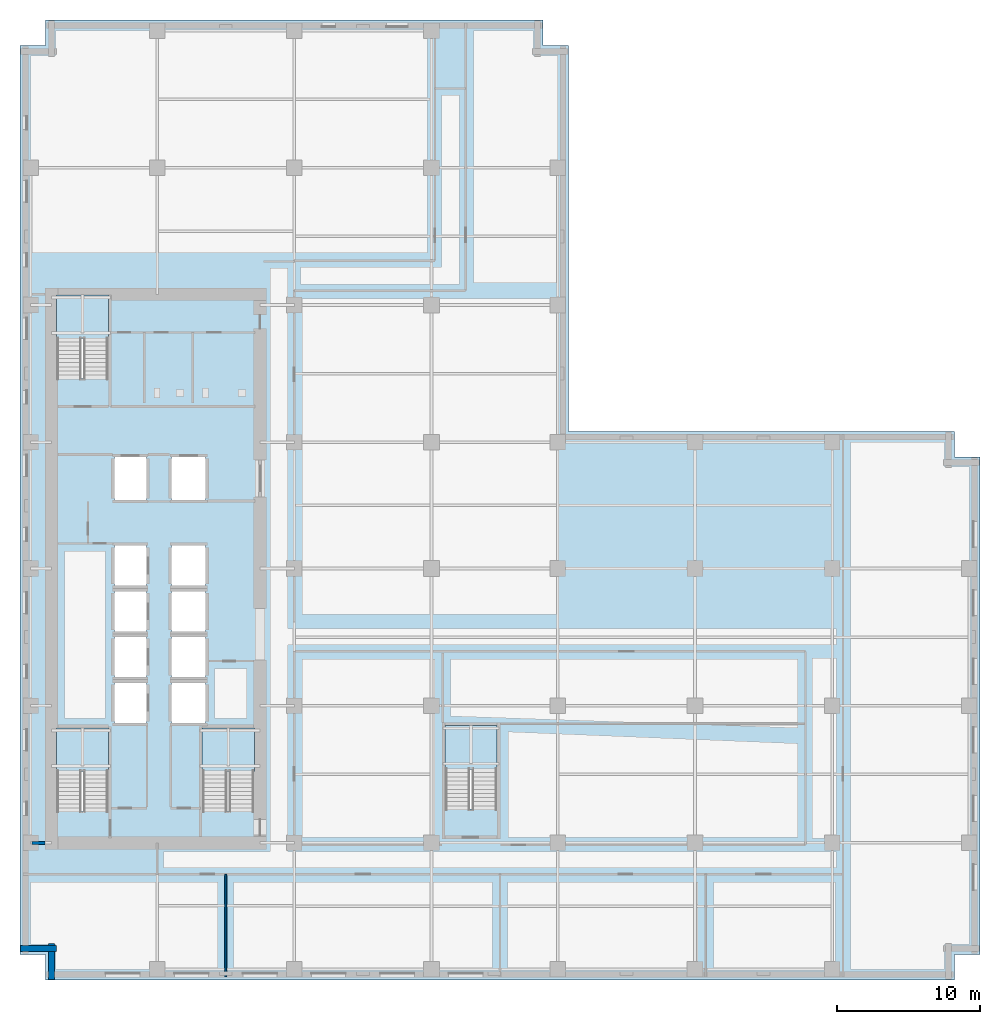
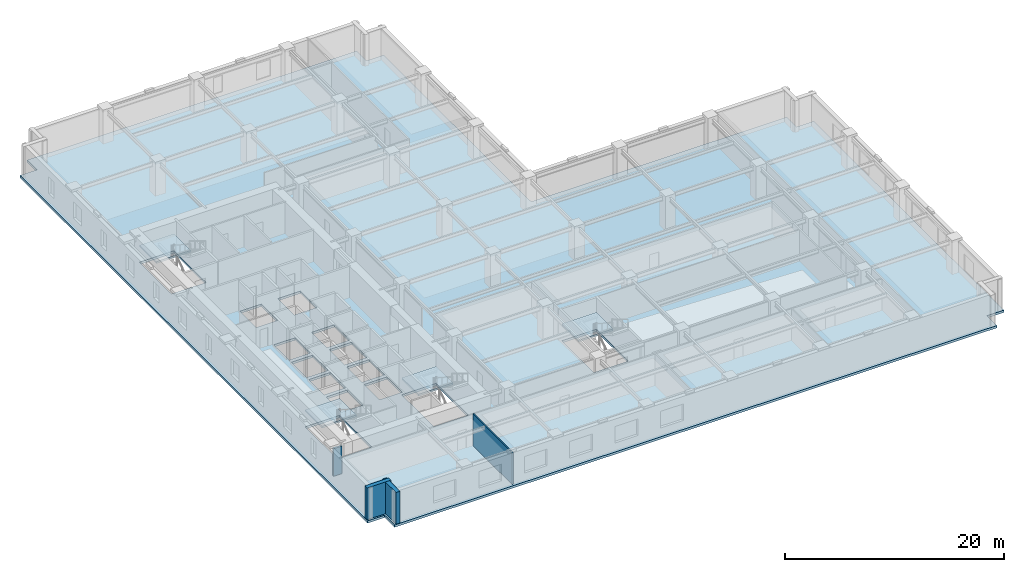
# One storey, part 3 of 13: 5 slabs, 4 walls, 4 elements without a shape of their own.
"""IFC4 building model written with IfcOpenShell, lengths in metres."""

from ifc_helpers import new_model, si_unit, direction, frame, frame_2d, origin, place, context, subcontext, project, spatial, polyline, rectangle, outline, extrude, material, layer, layer_set, type_object, element, aggregate, save


model = new_model("IFC4")

# Units and contexts
model_context = context("Model", 3, precision=1e-05, world=origin(), true_north=direction((0.0, 1.0)))
body_context = subcontext(model_context, "Body", "Model", "MODEL_VIEW")
ifc_project = project(units=[si_unit("LENGTHUNIT", "METRE"), si_unit("AREAUNIT", "SQUARE_METRE"), si_unit("VOLUMEUNIT", "CUBIC_METRE"), si_unit("PLANEANGLEUNIT", "RADIAN"), si_unit("MASSUNIT", "GRAM", prefix="KILO")], contexts=[model_context])

# Site, building, storey
site_placement = place(None, origin())
site = spatial("IfcSite", under=ifc_project, at=site_placement, CompositionType="ELEMENT")
building_placement = place(site_placement, origin())
building = spatial("IfcBuilding", under=site, at=building_placement, Name="Norrvale University Quadrangle", CompositionType="ELEMENT")
storey_placement = place(building_placement, frame((0.0, 0.0, 81.199951171875)))
storey = spatial("IfcBuildingStorey", under=building, at=storey_placement, Name="L20", CompositionType="ELEMENT", Elevation=81.199951171875)

# Stair, slab
ifc_material_1 = material(Name="Concrete C40/50", Category="concrete")
stair_type = type_object("IfcStairType", Name="Stair Tower Typ 3800", PredefinedType="TWO_STRAIGHT_RUN_STAIR", material=ifc_material_1)
stair_1_placement = place(storey_placement, origin())
stair_1 = element("IfcStair", 1, at=stair_1_placement, inside=storey, type_object=stair_type, Name="Exit Stair ST-01 L20", PredefinedType="TWO_STRAIGHT_RUN_STAIR")
ifc_layer_1 = layer(ifc_material_1, 0.199951171875, Name="Concrete C40/50")
ifc_layer_set_1 = layer_set([ifc_layer_1], Name="Concrete C40/50")
slab_type_1 = type_object("IfcSlabType", Name="Slab Landing 200", PredefinedType="LANDING", material=ifc_layer_set_1)
slab_1_placement = place(storey_placement, frame((0.0, 0.0, 1.699951171875)))
slab_1 = element("IfcSlab", 2, at=slab_1_placement, type_object=slab_type_1, Name="Exit Stair ST-01 L20 Mid Landing", PredefinedType="LANDING", context=body_context, shape_type="SweptSolid", body=[
    extrude(outline(polyline([(2.550048828125, 14.590087890625), (6.199951171875, 14.590087890625), (6.199951171875, 17.64990234375), (2.550048828125, 17.64990234375), (2.550048828125, 14.590087890625)])), origin(), (0.0, 0.0, 1.0), 0.2001953125),
])
aggregate(stair_1, [slab_1])

stair_2_placement = place(storey_placement, origin())
stair_2 = element("IfcStair", 3, at=stair_2_placement, inside=storey, type_object=stair_type, Name="Exit Stair ST-02 L20", PredefinedType="TWO_STRAIGHT_RUN_STAIR")
slab_2_placement = place(storey_placement, frame((0.0, 0.0, 1.699951171875)))
slab_2 = element("IfcSlab", 4, at=slab_2_placement, type_object=slab_type_1, Name="Exit Stair ST-02 L20 Mid Landing", PredefinedType="LANDING", context=body_context, shape_type="SweptSolid", body=[
    extrude(outline(polyline([(2.550048828125, 44.889892578125), (6.199951171875, 44.889892578125), (6.199951171875, 47.949951171875), (2.550048828125, 47.949951171875), (2.550048828125, 44.889892578125)])), origin(), (0.0, 0.0, 1.0), 0.2001953125),
])
aggregate(stair_2, [slab_2])

stair_3_placement = place(storey_placement, origin())
stair_3 = element("IfcStair", 5, at=stair_3_placement, inside=storey, type_object=stair_type, Name="Exit Stair ST-03 L20", PredefinedType="TWO_STRAIGHT_RUN_STAIR")
slab_3_placement = place(storey_placement, frame((0.0, 0.0, 1.699951171875)))
slab_3 = element("IfcSlab", 6, at=slab_3_placement, type_object=slab_type_1, Name="Exit Stair ST-03 L20 Mid Landing", PredefinedType="LANDING", context=body_context, shape_type="SweptSolid", body=[
    extrude(outline(polyline([(12.75, 14.590087890625), (16.39990234375, 14.590087890625), (16.39990234375, 17.64990234375), (12.75, 17.64990234375), (12.75, 14.590087890625)])), origin(), (0.0, 0.0, 1.0), 0.2001953125),
])
aggregate(stair_3, [slab_3])

stair_4_placement = place(storey_placement, origin())
stair_4 = element("IfcStair", 7, at=stair_4_placement, inside=storey, type_object=stair_type, Name="Exit Stair ST-04 L20", PredefinedType="TWO_STRAIGHT_RUN_STAIR")
slab_4_placement = place(storey_placement, frame((0.0, 0.0, 1.699951171875)))
slab_4 = element("IfcSlab", 8, at=slab_4_placement, type_object=slab_type_1, Name="Exit Stair ST-04 L20 Mid Landing", PredefinedType="LANDING", context=body_context, shape_type="SweptSolid", body=[
    extrude(outline(polyline([(29.75, 14.739990234375), (33.39990234375, 14.739990234375), (33.39990234375, 17.800048828125), (29.75, 17.800048828125), (29.75, 14.739990234375)])), origin(), (0.0, 0.0, 1.0), 0.2001953125),
])
aggregate(stair_4, [slab_4])

# Slab
ifc_layer_2 = layer(ifc_material_1, 0.260009765625, Name="Concrete C40/50")
ifc_layer_set_2 = layer_set([ifc_layer_2], Name="Concrete C40/50")
slab_type_2 = type_object("IfcSlabType", Name="Slab Tower Typ 260", PredefinedType="FLOOR", material=ifc_layer_set_2)
slab_5_placement = place(storey_placement, frame((0.0, 0.0, -0.260009765625)))
element("IfcSlab", 9, at=slab_5_placement, inside=storey, type_object=slab_type_2, Name="Tower L20 Floor Slab", PredefinedType="FLOOR", context=body_context, shape_type="SweptSolid", body=[
    extrude(outline(polyline([(1.800048828125, 0.0), (65.39990234375, 0.0), (65.39990234375, 1.800048828125), (67.199951171875, 1.800048828125), (67.199951171875, 36.60009765625), (65.39990234375, 36.60009765625), (65.39990234375, 38.39990234375), (38.39990234375, 38.39990234375), (38.39990234375, 65.39990234375), (36.60009765625, 65.39990234375), (36.60009765625, 67.199951171875), (1.800048828125, 67.199951171875), (1.800048828125, 65.39990234375), (0.0, 65.39990234375), (0.0, 1.800048828125), (1.800048828125, 1.800048828125), (1.800048828125, 0.0)]), holes=[polyline([(2.550048828125, 11.81005859375), (6.199951171875, 11.81005859375), (6.199951171875, 17.64990234375), (2.550048828125, 17.64990234375), (2.550048828125, 11.81005859375)]), polyline([(2.550048828125, 42.110107421875), (6.199951171875, 42.110107421875), (6.199951171875, 47.949951171875), (2.550048828125, 47.949951171875), (2.550048828125, 42.110107421875)]), polyline([(12.75, 11.81005859375), (16.39990234375, 11.81005859375), (16.39990234375, 17.64990234375), (12.75, 17.64990234375), (12.75, 11.81005859375)]), polyline([(29.75, 11.9599609375), (33.39990234375, 11.9599609375), (33.39990234375, 17.800048828125), (29.75, 17.800048828125), (29.75, 11.9599609375)]), polyline([(6.60009765625, 18.0), (8.85009765625, 18.0), (8.85009765625, 20.800048828125), (6.60009765625, 20.800048828125), (6.60009765625, 18.0)]), polyline([(6.60009765625, 21.199951171875), (8.85009765625, 21.199951171875), (8.85009765625, 24.0), (6.60009765625, 24.0), (6.60009765625, 21.199951171875)]), polyline([(6.60009765625, 24.39990234375), (8.85009765625, 24.39990234375), (8.85009765625, 27.199951171875), (6.60009765625, 27.199951171875), (6.60009765625, 24.39990234375)]), polyline([(6.60009765625, 27.60009765625), (8.85009765625, 27.60009765625), (8.85009765625, 30.39990234375), (6.60009765625, 30.39990234375), (6.60009765625, 27.60009765625)]), polyline([(10.60009765625, 18.0), (13.0, 18.0), (13.0, 20.800048828125), (10.60009765625, 20.800048828125), (10.60009765625, 18.0)]), polyline([(10.60009765625, 21.199951171875), (13.0, 21.199951171875), (13.0, 24.0), (10.60009765625, 24.0), (10.60009765625, 21.199951171875)]), polyline([(10.60009765625, 24.39990234375), (13.0, 24.39990234375), (13.0, 27.199951171875), (10.60009765625, 27.199951171875), (10.60009765625, 24.39990234375)]), polyline([(10.60009765625, 27.60009765625), (13.0, 27.60009765625), (13.0, 30.39990234375), (10.60009765625, 30.39990234375), (10.60009765625, 27.60009765625)]), polyline([(6.60009765625, 33.60009765625), (8.85009765625, 33.60009765625), (8.85009765625, 36.60009765625), (6.60009765625, 36.60009765625), (6.60009765625, 33.60009765625)]), polyline([(10.60009765625, 33.60009765625), (13.0, 33.60009765625), (13.0, 36.60009765625), (10.60009765625, 36.60009765625), (10.60009765625, 33.60009765625)])]), origin(), (0.0, 0.0, 1.0), 0.260009765625),
])

# Walls
ifc_material_2 = material(Name="Buff Norman Clay Brick Masonry", Category="masonry")
ifc_layer_3 = layer(ifc_material_2, 0.419921875, Name="Buff Norman Clay Brick Masonry")
ifc_layer_set_3 = layer_set([ifc_layer_3], Name="Buff Norman Clay Brick Masonry")
wall_type_1 = type_object("IfcWallType", Name="Wall Buff Brick 420", PredefinedType="SOLIDWALL", material=ifc_layer_set_3)
for number, where, z_axis, x_axis, name in (
    (10, (0.0400390625, 2.18994140625, 0.0), (0.0, 0.0, 1.0), (1.0, 0.0, 0.0), "Exterior Brick Facade Wall L20-15.1"),
    (11, (2.18994140625, 2.5400390625, 0.0), (0.0, 0.0, 1.0), (0.0, -1.0, 0.0), "Exterior Brick Facade Wall L20-16.1"),
):
    element("IfcWall", number, at=place(storey_placement, frame(where, z_axis=z_axis, x_axis=x_axis)), inside=storey, type_object=wall_type_1, Name=name, PredefinedType="SOLIDWALL", context=body_context, shape_type="SweptSolid", body=[
        extrude(rectangle(XDim=2.5, YDim=0.419921875, at=frame_2d((1.25, 0.0))), origin(), (0.0, 0.0, 1.0), 3.5400390625),
    ])
ifc_material_3 = material(Name="Standard Academic Gypsum Partition")
ifc_layer_4 = layer(ifc_material_3, 0.125, Name="Standard Academic Gypsum Partition")
ifc_layer_set_4 = layer_set([ifc_layer_4], Name="Standard Academic Gypsum Partition")
wall_type_2 = type_object("IfcWallType", Name="Wall Gypsum Academic 125", PredefinedType="PARTITIONING", material=ifc_layer_set_4)
wall_1_placement = place(storey_placement, frame((14.39990234375, 0.219970703125, 0.0), z_axis=(0.0, 0.0, 1.0), x_axis=(0.0, 1.0, 0.0)))
element("IfcWall", 12, at=wall_1_placement, inside=storey, type_object=wall_type_2, Name="Interior Partition WL-L20-SP01", PredefinedType="PARTITIONING", context=body_context, shape_type="SweptSolid", body=[
    extrude(rectangle(XDim=7.179931640625, YDim=0.125, at=frame_2d((3.58984375, 0.0))), origin(), (0.0, 0.0, 1.0), 3.5400390625),
])
ifc_material_4 = material(Name="Concrete Blockwork 20 MPa Rated Wall", Category="masonry")
ifc_layer_5 = layer(ifc_material_4, 0.199951171875, Name="Concrete Blockwork 20 MPa Rated Wall")
ifc_layer_set_5 = layer_set([ifc_layer_5], Name="Concrete Blockwork 20 MPa Rated Wall")
wall_type_3 = type_object("IfcWallType", Name="Wall Lobby 200", PredefinedType="SOLIDWALL", material=ifc_layer_set_5)
wall_2_placement = place(storey_placement, frame((0.85009765625, 9.60009765625, 0.0), z_axis=(0.0, 0.0, 1.0), x_axis=(1.0, 0.0, 0.0)))
element("IfcWall", 13, at=wall_2_placement, inside=storey, type_object=wall_type_3, Name="Interior Partition WL-L20-CWRET-S", PredefinedType="SOLIDWALL", context=body_context, shape_type="SweptSolid", body=[
    extrude(rectangle(XDim=0.89501953125, YDim=0.199951171875, at=frame_2d((0.447509765625, 0.0))), origin(), (0.0, 0.0, 1.0), 3.071044921875),
])

save(model, "model.ifc")
